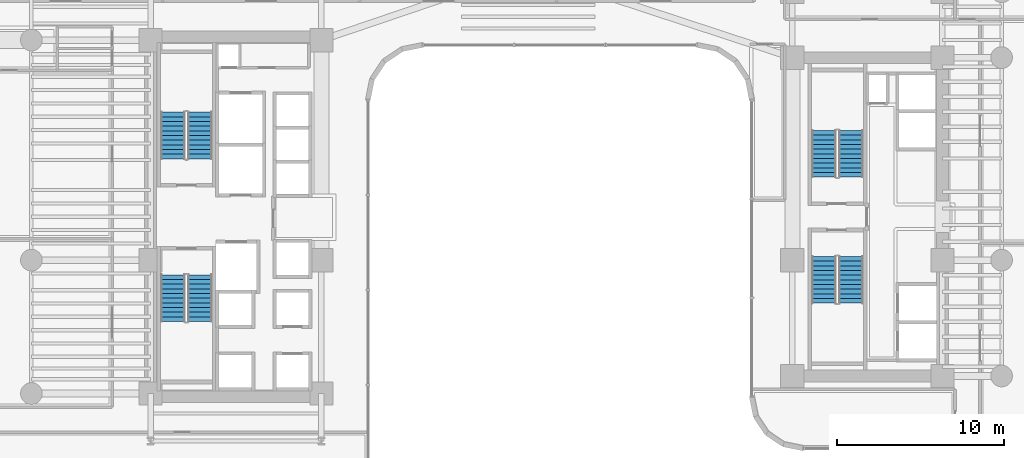
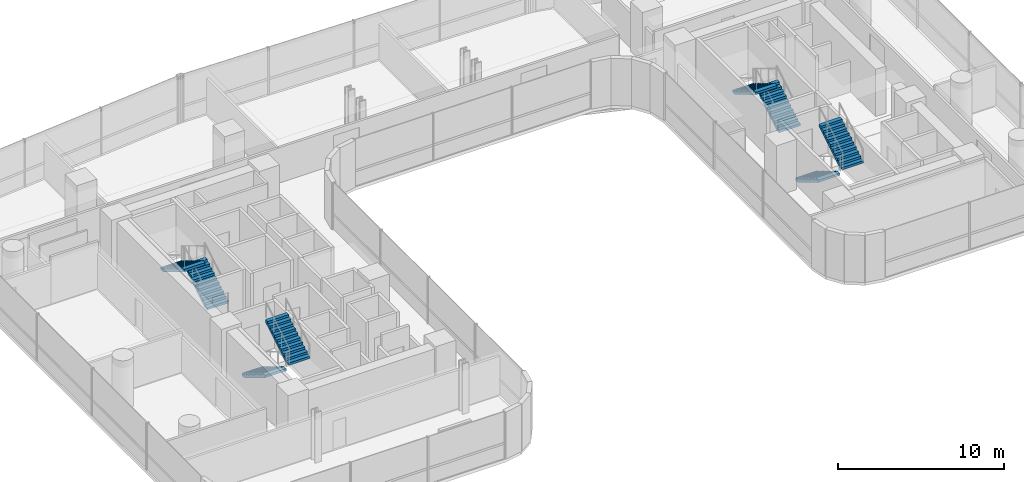
# One storey, part 36 of 40: 8 stair flights, 4 elements without a shape of their own.
"""IFC4 building model written with IfcOpenShell, lengths in metres."""

from ifc_helpers import new_model, si_unit, direction, frame, origin, place, context, subcontext, project, spatial, polyline, outline, extrude, material, type_object, element, aggregate, save


model = new_model("IFC4")

# Units and contexts
model_context = context("Model", 3, precision=1e-05, world=origin(), true_north=direction((0.0, 1.0)))
body_context = subcontext(model_context, "Body", "Model", "MODEL_VIEW")
ifc_project = project(units=[si_unit("LENGTHUNIT", "METRE"), si_unit("AREAUNIT", "SQUARE_METRE"), si_unit("VOLUMEUNIT", "CUBIC_METRE"), si_unit("PLANEANGLEUNIT", "RADIAN"), si_unit("MASSUNIT", "GRAM", prefix="KILO")], contexts=[model_context])

# Site, building, storey
site_placement = place(None, origin())
site = spatial("IfcSite", under=ifc_project, at=site_placement, CompositionType="ELEMENT")
building_placement = place(site_placement, origin())
building = spatial("IfcBuilding", under=site, at=building_placement, Name="Valdorenza Pilgrim Sanctuary Tower", CompositionType="ELEMENT")
storey_placement = place(building_placement, frame((0.0, 0.0, 51.89990234375)))
storey = spatial("IfcBuildingStorey", under=building, at=storey_placement, Name="L12", CompositionType="ELEMENT", Elevation=51.89990234375)

# Stair, stair flights
ifc_material = material(Name="Concrete C40/50", Category="concrete")
stair_type = type_object("IfcStairType", Name="STR-DOG-CORE", PredefinedType="HALF_TURN_STAIR", material=ifc_material)
stair_1_placement = place(storey_placement, origin())
stair_1 = element("IfcStair", 1, at=stair_1_placement, inside=storey, type_object=stair_type, Name="L12 ST-A1", PredefinedType="HALF_TURN_STAIR")
stair_flight_type = type_object("IfcStairFlightType", Name="STF-RC-1400", PredefinedType="STRAIGHT", material=ifc_material)
stair_flight_1_placement = place(storey_placement, frame((-19.679931640625, 3.47998046875, 0.0), z_axis=(0.0, 0.0, 1.0), x_axis=(0.0, 1.0, 0.0)))
stair_flight_1 = element("IfcStairFlight", 2, at=stair_flight_1_placement, type_object=stair_flight_type, Name="ST-A1 flight 1", NumberOfRisers=11, NumberOfTreads=10, PredefinedType="STRAIGHT", RiserHeight=0.168181818, TreadLength=0.28, context=body_context, shape_type="SweptSolid", body=[
    extrude(outline(polyline([(0.0, 0.0), (0.0, 0.168212890625), (0.280029296875, 0.168212890625), (0.280029296875, 0.33642578125), (0.56005859375, 0.33642578125), (0.56005859375, 0.504638671875), (0.840087890625, 0.504638671875), (0.840087890625, 0.672607421875), (1.1201171875, 0.672607421875), (1.1201171875, 0.8408203125), (1.39990234375, 0.8408203125), (1.39990234375, 1.009033203125), (1.679931640625, 1.009033203125), (1.679931640625, 1.17724609375), (1.9599609375, 1.17724609375), (1.9599609375, 1.345458984375), (2.239990234375, 1.345458984375), (2.239990234375, 1.513671875), (2.52001953125, 1.513671875), (2.52001953125, 1.681884765625), (2.800048828125, 1.681884765625), (2.800048828125, 1.85009765625), (2.800048828125, 1.5068359375), (0.291015625, 0.0), (0.0, 0.0)])), frame((0.0, 0.739990234375, 0.0), z_axis=(0.0, -1.0, 0.0), x_axis=(1.0, 0.0, 0.0)), (0.0, 0.0, 1.0), 1.47998046875),
])
stair_flight_2_placement = place(storey_placement, frame((-21.31005859375, 6.280029296875, 1.85009765625), z_axis=(0.0, 0.0, 1.0), x_axis=(0.0, -1.0, 0.0)))
stair_flight_2 = element("IfcStairFlight", 3, at=stair_flight_2_placement, type_object=stair_flight_type, Name="ST-A1 flight 2", NumberOfRisers=11, NumberOfTreads=10, PredefinedType="STRAIGHT", RiserHeight=0.168181818, TreadLength=0.28, context=body_context, shape_type="SweptSolid", body=[
    extrude(outline(polyline([(0.0, 0.0), (0.0, 0.168212890625), (0.280029296875, 0.168212890625), (0.280029296875, 0.33642578125), (0.56005859375, 0.33642578125), (0.56005859375, 0.504638671875), (0.840087890625, 0.504638671875), (0.840087890625, 0.672607421875), (1.1201171875, 0.672607421875), (1.1201171875, 0.8408203125), (1.39990234375, 0.8408203125), (1.39990234375, 1.009033203125), (1.679931640625, 1.009033203125), (1.679931640625, 1.17724609375), (1.9599609375, 1.17724609375), (1.9599609375, 1.345458984375), (2.239990234375, 1.345458984375), (2.239990234375, 1.513671875), (2.52001953125, 1.513671875), (2.52001953125, 1.681884765625), (2.800048828125, 1.681884765625), (2.800048828125, 1.85009765625), (2.800048828125, 1.5068359375), (0.291015625, 0.0), (0.0, 0.0)])), frame((0.0, 0.739990234375, 0.0), z_axis=(0.0, -1.0, 0.0), x_axis=(1.0, 0.0, 0.0)), (0.0, 0.0, 1.0), 1.47998046875),
])
aggregate(stair_1, [stair_flight_1, stair_flight_2])

stair_2_placement = place(storey_placement, origin())
stair_2 = element("IfcStair", 4, at=stair_2_placement, inside=storey, type_object=stair_type, Name="L12 ST-A2", PredefinedType="HALF_TURN_STAIR")
stair_flight_3_placement = place(storey_placement, frame((-21.31005859375, -3.47998046875, 0.0), z_axis=(0.0, 0.0, 1.0), x_axis=(0.0, -1.0, 0.0)))
stair_flight_3 = element("IfcStairFlight", 5, at=stair_flight_3_placement, type_object=stair_flight_type, Name="ST-A2 flight 1", NumberOfRisers=11, NumberOfTreads=10, PredefinedType="STRAIGHT", RiserHeight=0.168181818, TreadLength=0.28, context=body_context, shape_type="SweptSolid", body=[
    extrude(outline(polyline([(0.0, 0.0), (0.0, 0.168212890625), (0.280029296875, 0.168212890625), (0.280029296875, 0.33642578125), (0.56005859375, 0.33642578125), (0.56005859375, 0.504638671875), (0.840087890625, 0.504638671875), (0.840087890625, 0.672607421875), (1.1201171875, 0.672607421875), (1.1201171875, 0.8408203125), (1.39990234375, 0.8408203125), (1.39990234375, 1.009033203125), (1.679931640625, 1.009033203125), (1.679931640625, 1.17724609375), (1.9599609375, 1.17724609375), (1.9599609375, 1.345458984375), (2.239990234375, 1.345458984375), (2.239990234375, 1.513671875), (2.52001953125, 1.513671875), (2.52001953125, 1.681884765625), (2.800048828125, 1.681884765625), (2.800048828125, 1.85009765625), (2.800048828125, 1.5068359375), (0.291015625, 0.0), (0.0, 0.0)])), frame((0.0, 0.739990234375, 0.0), z_axis=(0.0, -1.0, 0.0), x_axis=(1.0, 0.0, 0.0)), (0.0, 0.0, 1.0), 1.47998046875),
])
stair_flight_4_placement = place(storey_placement, frame((-19.679931640625, -6.280029296875, 1.85009765625), z_axis=(0.0, 0.0, 1.0), x_axis=(0.0, 1.0, 0.0)))
stair_flight_4 = element("IfcStairFlight", 6, at=stair_flight_4_placement, type_object=stair_flight_type, Name="ST-A2 flight 2", NumberOfRisers=11, NumberOfTreads=10, PredefinedType="STRAIGHT", RiserHeight=0.168181818, TreadLength=0.28, context=body_context, shape_type="SweptSolid", body=[
    extrude(outline(polyline([(0.0, 0.0), (0.0, 0.168212890625), (0.280029296875, 0.168212890625), (0.280029296875, 0.33642578125), (0.56005859375, 0.33642578125), (0.56005859375, 0.504638671875), (0.840087890625, 0.504638671875), (0.840087890625, 0.672607421875), (1.1201171875, 0.672607421875), (1.1201171875, 0.8408203125), (1.39990234375, 0.8408203125), (1.39990234375, 1.009033203125), (1.679931640625, 1.009033203125), (1.679931640625, 1.17724609375), (1.9599609375, 1.17724609375), (1.9599609375, 1.345458984375), (2.239990234375, 1.345458984375), (2.239990234375, 1.513671875), (2.52001953125, 1.513671875), (2.52001953125, 1.681884765625), (2.800048828125, 1.681884765625), (2.800048828125, 1.85009765625), (2.800048828125, 1.5068359375), (0.291015625, 0.0), (0.0, 0.0)])), frame((0.0, 0.739990234375, 0.0), z_axis=(0.0, -1.0, 0.0), x_axis=(1.0, 0.0, 0.0)), (0.0, 0.0, 1.0), 1.47998046875),
])
aggregate(stair_2, [stair_flight_3, stair_flight_4])

stair_3_placement = place(storey_placement, origin())
stair_3 = element("IfcStair", 7, at=stair_3_placement, inside=storey, type_object=stair_type, Name="L12 ST-B1", PredefinedType="HALF_TURN_STAIR")
stair_flight_5_placement = place(storey_placement, frame((19.3701171875, 2.3798828125, 0.0), z_axis=(0.0, 0.0, 1.0), x_axis=(0.0, 1.0, 0.0)))
stair_flight_5 = element("IfcStairFlight", 8, at=stair_flight_5_placement, type_object=stair_flight_type, Name="ST-B1 flight 1", NumberOfRisers=11, NumberOfTreads=10, PredefinedType="STRAIGHT", RiserHeight=0.168181818, TreadLength=0.28, context=body_context, shape_type="SweptSolid", body=[
    extrude(outline(polyline([(0.0, 0.0), (0.0, 0.168212890625), (0.280029296875, 0.168212890625), (0.280029296875, 0.33642578125), (0.56005859375, 0.33642578125), (0.56005859375, 0.504638671875), (0.840087890625, 0.504638671875), (0.840087890625, 0.672607421875), (1.1201171875, 0.672607421875), (1.1201171875, 0.8408203125), (1.39990234375, 0.8408203125), (1.39990234375, 1.009033203125), (1.679931640625, 1.009033203125), (1.679931640625, 1.17724609375), (1.9599609375, 1.17724609375), (1.9599609375, 1.345458984375), (2.239990234375, 1.345458984375), (2.239990234375, 1.513671875), (2.52001953125, 1.513671875), (2.52001953125, 1.681884765625), (2.800048828125, 1.681884765625), (2.800048828125, 1.85009765625), (2.800048828125, 1.5068359375), (0.291015625, 0.0), (0.0, 0.0)])), frame((0.0, 0.739990234375, 0.0), z_axis=(0.0, -1.0, 0.0), x_axis=(1.0, 0.0, 0.0)), (0.0, 0.0, 1.0), 1.47998046875),
])
stair_flight_6_placement = place(storey_placement, frame((17.739990234375, 5.179931640625, 1.85009765625), z_axis=(0.0, 0.0, 1.0), x_axis=(0.0, -1.0, 0.0)))
stair_flight_6 = element("IfcStairFlight", 9, at=stair_flight_6_placement, type_object=stair_flight_type, Name="ST-B1 flight 2", NumberOfRisers=11, NumberOfTreads=10, PredefinedType="STRAIGHT", RiserHeight=0.168181818, TreadLength=0.28, context=body_context, shape_type="SweptSolid", body=[
    extrude(outline(polyline([(0.0, 0.0), (0.0, 0.168212890625), (0.280029296875, 0.168212890625), (0.280029296875, 0.33642578125), (0.56005859375, 0.33642578125), (0.56005859375, 0.504638671875), (0.840087890625, 0.504638671875), (0.840087890625, 0.672607421875), (1.1201171875, 0.672607421875), (1.1201171875, 0.8408203125), (1.39990234375, 0.8408203125), (1.39990234375, 1.009033203125), (1.679931640625, 1.009033203125), (1.679931640625, 1.17724609375), (1.9599609375, 1.17724609375), (1.9599609375, 1.345458984375), (2.239990234375, 1.345458984375), (2.239990234375, 1.513671875), (2.52001953125, 1.513671875), (2.52001953125, 1.681884765625), (2.800048828125, 1.681884765625), (2.800048828125, 1.85009765625), (2.800048828125, 1.5068359375), (0.291015625, 0.0), (0.0, 0.0)])), frame((0.0, 0.739990234375, 0.0), z_axis=(0.0, -1.0, 0.0), x_axis=(1.0, 0.0, 0.0)), (0.0, 0.0, 1.0), 1.47998046875),
])
aggregate(stair_3, [stair_flight_5, stair_flight_6])

stair_4_placement = place(storey_placement, origin())
stair_4 = element("IfcStair", 10, at=stair_4_placement, inside=storey, type_object=stair_type, Name="L12 ST-B2", PredefinedType="HALF_TURN_STAIR")
stair_flight_7_placement = place(storey_placement, frame((17.739990234375, -2.3798828125, 0.0), z_axis=(0.0, 0.0, 1.0), x_axis=(0.0, -1.0, 0.0)))
stair_flight_7 = element("IfcStairFlight", 11, at=stair_flight_7_placement, type_object=stair_flight_type, Name="ST-B2 flight 1", NumberOfRisers=11, NumberOfTreads=10, PredefinedType="STRAIGHT", RiserHeight=0.168181818, TreadLength=0.28, context=body_context, shape_type="SweptSolid", body=[
    extrude(outline(polyline([(0.0, 0.0), (0.0, 0.168212890625), (0.280029296875, 0.168212890625), (0.280029296875, 0.33642578125), (0.56005859375, 0.33642578125), (0.56005859375, 0.504638671875), (0.840087890625, 0.504638671875), (0.840087890625, 0.672607421875), (1.1201171875, 0.672607421875), (1.1201171875, 0.8408203125), (1.39990234375, 0.8408203125), (1.39990234375, 1.009033203125), (1.679931640625, 1.009033203125), (1.679931640625, 1.17724609375), (1.9599609375, 1.17724609375), (1.9599609375, 1.345458984375), (2.239990234375, 1.345458984375), (2.239990234375, 1.513671875), (2.52001953125, 1.513671875), (2.52001953125, 1.681884765625), (2.800048828125, 1.681884765625), (2.800048828125, 1.85009765625), (2.800048828125, 1.5068359375), (0.291015625, 0.0), (0.0, 0.0)])), frame((0.0, 0.739990234375, 0.0), z_axis=(0.0, -1.0, 0.0), x_axis=(1.0, 0.0, 0.0)), (0.0, 0.0, 1.0), 1.47998046875),
])
stair_flight_8_placement = place(storey_placement, frame((19.3701171875, -5.179931640625, 1.85009765625), z_axis=(0.0, 0.0, 1.0), x_axis=(0.0, 1.0, 0.0)))
stair_flight_8 = element("IfcStairFlight", 12, at=stair_flight_8_placement, type_object=stair_flight_type, Name="ST-B2 flight 2", NumberOfRisers=11, NumberOfTreads=10, PredefinedType="STRAIGHT", RiserHeight=0.168181818, TreadLength=0.28, context=body_context, shape_type="SweptSolid", body=[
    extrude(outline(polyline([(0.0, 0.0), (0.0, 0.168212890625), (0.280029296875, 0.168212890625), (0.280029296875, 0.33642578125), (0.56005859375, 0.33642578125), (0.56005859375, 0.504638671875), (0.840087890625, 0.504638671875), (0.840087890625, 0.672607421875), (1.1201171875, 0.672607421875), (1.1201171875, 0.8408203125), (1.39990234375, 0.8408203125), (1.39990234375, 1.009033203125), (1.679931640625, 1.009033203125), (1.679931640625, 1.17724609375), (1.9599609375, 1.17724609375), (1.9599609375, 1.345458984375), (2.239990234375, 1.345458984375), (2.239990234375, 1.513671875), (2.52001953125, 1.513671875), (2.52001953125, 1.681884765625), (2.800048828125, 1.681884765625), (2.800048828125, 1.85009765625), (2.800048828125, 1.5068359375), (0.291015625, 0.0), (0.0, 0.0)])), frame((0.0, 0.739990234375, 0.0), z_axis=(0.0, -1.0, 0.0), x_axis=(1.0, 0.0, 0.0)), (0.0, 0.0, 1.0), 1.47998046875),
])
aggregate(stair_4, [stair_flight_7, stair_flight_8])

save(model, "model.ifc")
